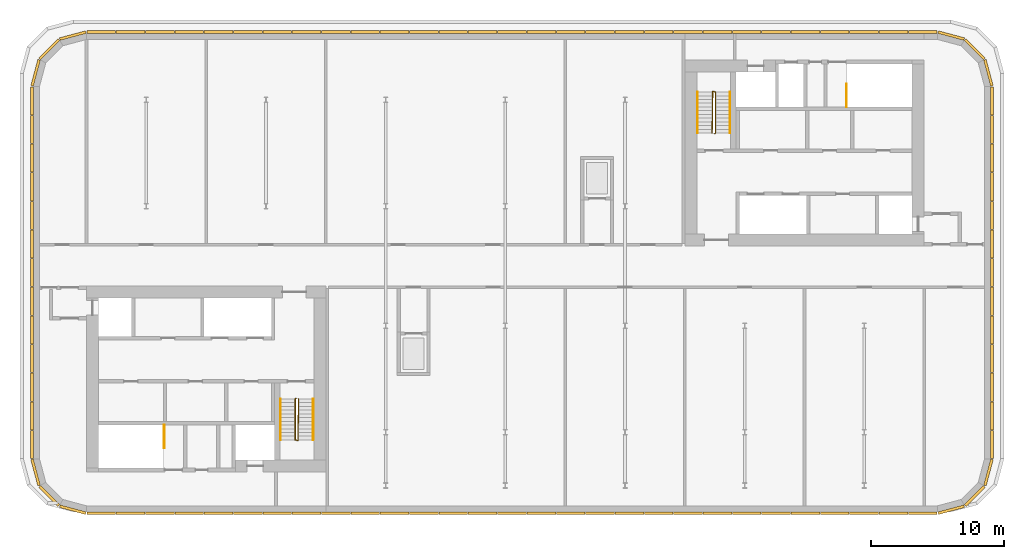
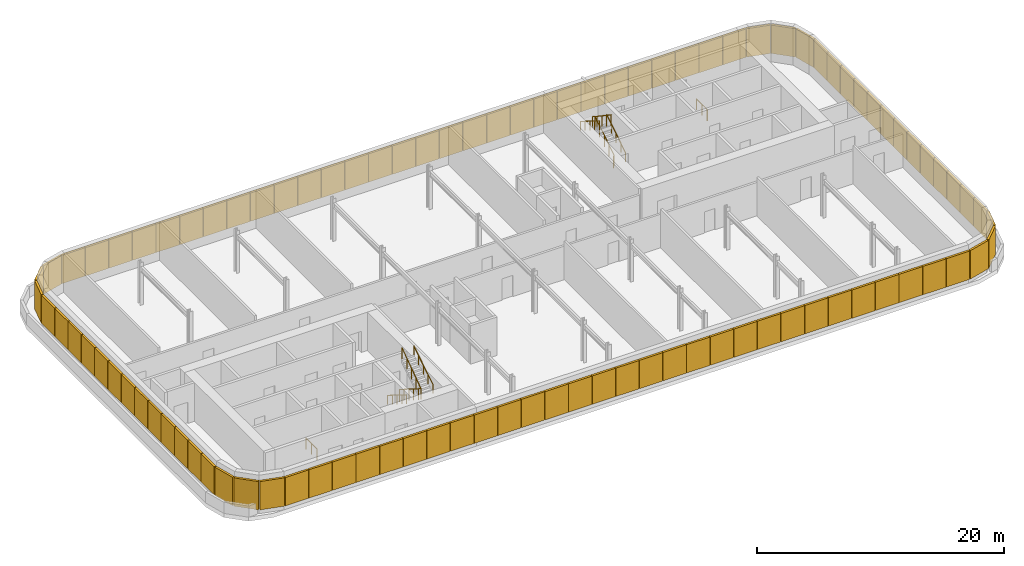
# One storey, part 9 of 10: 96 shading devices, 8 railings.
"""IFC4 building model written with IfcOpenShell, lengths in metres."""

from ifc_helpers import new_model, si_unit, direction, frame, origin, origin_2d, place, context, subcontext, project, spatial, rectangle, circle, extrude, material, type_object, element, save


model = new_model("IFC4")

# Units and contexts
model_context = context("Model", 3, precision=1e-05, world=origin(), true_north=direction((0.0, 1.0)))
body_context = subcontext(model_context, "Body", "Model", "MODEL_VIEW")
ifc_project = project(units=[si_unit("LENGTHUNIT", "METRE"), si_unit("AREAUNIT", "SQUARE_METRE"), si_unit("VOLUMEUNIT", "CUBIC_METRE"), si_unit("PLANEANGLEUNIT", "RADIAN"), si_unit("MASSUNIT", "GRAM", prefix="KILO")], contexts=[model_context])

# Site, building, storey
site_placement = place(None, origin())
site = spatial("IfcSite", under=ifc_project, at=site_placement, CompositionType="ELEMENT")
building_placement = place(site_placement, origin())
building = spatial("IfcBuilding", under=site, at=building_placement, Name="Kajstack Hotel Tower", CompositionType="ELEMENT")
storey_placement = place(building_placement, frame((0.0, 0.0, 313.60009765625)))
storey = spatial("IfcBuildingStorey", under=building, at=storey_placement, Name="L79", CompositionType="ELEMENT", Elevation=313.60009765625)

# Railings
ifc_material = material(Name="Steel S355J2", Category="steel")
railing_type_1 = type_object("IfcRailingType", Name="Stair guard 1100", PredefinedType="GUARDRAIL", material=ifc_material)
railing_1_placement = place(storey_placement, frame((-15.75, -9.949951171875, 0.0)))
element("IfcRailing", 1, at=railing_1_placement, inside=storey, type_object=railing_type_1, Name="L79 W2 stair guard 1", PredefinedType="GUARDRAIL", context=body_context, shape_type="SweptSolid", body=[
    extrude(circle(Radius=0.02392578125, at=origin_2d()), frame((0.0, 0.0, 1.076171875), z_axis=(-0.265383341853, -0.265383341853, 0.926899867156), x_axis=(0.707106781187, -0.707106781187, 0.0)), (0.0, 0.0, 1.0), 0.1884765625),
    extrude(circle(Radius=0.02392578125, at=origin_2d()), frame((-0.050048828125, -0.050048828125, 1.2509765625), z_axis=(0.0, -0.847998304005, 0.529998940003), x_axis=(1.0, 0.0, 0.0)), (0.0, 0.0, 1.0), 3.632080078125),
    extrude(circle(Radius=0.02392578125, at=origin_2d()), frame((-0.050048828125, -3.130126953125, 3.17578125), z_axis=(0.970351222016, -0.241699205484, 0.0), x_axis=(0.241699205484, 0.970351222016, 0.0)), (0.0, 0.0, 1.0), 0.2060546875),
    extrude(circle(Radius=0.02392578125, at=origin_2d()), frame((0.14990234375, -3.179931640625, 3.17578125), z_axis=(0.013277334934, 0.83031918951, 0.557129927314), x_axis=(-0.999872174235, 0.01598859561, 0.0)), (0.0, 0.0, 1.0), 3.76953125),
    extrude(circle(Radius=0.02099609375, at=origin_2d()), origin(), (0.0, 0.0, 1.0), 1.052001953125),
    extrude(circle(Radius=0.02099609375, at=origin_2d()), frame((-0.050048828125, -0.050048828125, 0.1748046875)), (0.0, 0.0, 1.0), 1.052001953125),
    extrude(circle(Radius=0.02099609375, at=origin_2d()), frame((-0.050048828125, -0.820068359375, 0.656005859375)), (0.0, 0.0, 1.0), 1.052001953125),
    extrude(circle(Radius=0.02099609375, at=origin_2d()), frame((-0.050048828125, -1.590087890625, 1.13720703125)), (0.0, 0.0, 1.0), 1.052001953125),
    extrude(circle(Radius=0.02099609375, at=origin_2d()), frame((-0.050048828125, -2.360107421875, 1.61865234375)), (0.0, 0.0, 1.0), 1.052001953125),
    extrude(circle(Radius=0.02099609375, at=origin_2d()), frame((-0.050048828125, -3.130126953125, 2.099853515625)), (0.0, 0.0, 1.0), 1.052001953125),
    extrude(circle(Radius=0.02099609375, at=origin_2d()), frame((0.14990234375, -3.179931640625, 2.099853515625)), (0.0, 0.0, 1.0), 1.052001953125),
    extrude(circle(Radius=0.02099609375, at=origin_2d()), frame((0.162353515625, -2.3974609375, 2.625)), (0.0, 0.0, 1.0), 1.052001953125),
    extrude(circle(Radius=0.02099609375, at=origin_2d()), frame((0.1748046875, -1.614990234375, 3.14990234375)), (0.0, 0.0, 1.0), 1.052001953125),
    extrude(circle(Radius=0.02099609375, at=origin_2d()), frame((0.1875, -0.83251953125, 3.6748046875)), (0.0, 0.0, 1.0), 1.052001953125),
    extrude(circle(Radius=0.02099609375, at=origin_2d()), frame((0.199951171875, -0.050048828125, 4.199951171875)), (0.0, 0.0, 1.0), 1.052001953125),
])
railing_2_placement = place(storey_placement, frame((-25.64990234375, -11.949951171875, 0.0)))
element("IfcRailing", 2, at=railing_2_placement, inside=storey, type_object=railing_type_1, Name="L79 W3 top well guard 1", PredefinedType="GUARDRAIL", context=body_context, shape_type="SweptSolid", body=[
    extrude(circle(Radius=0.02392578125, at=origin_2d()), frame((0.0, 0.0, 1.076171875), z_axis=(0.0, -1.0, 0.0), x_axis=(1.0, 0.0, 0.0)), (0.0, 0.0, 1.0), 1.75),
    extrude(circle(Radius=0.02099609375, at=origin_2d()), origin(), (0.0, 0.0, 1.0), 1.052001953125),
    extrude(circle(Radius=0.02099609375, at=origin_2d()), frame((0.0, -0.875, 0.0)), (0.0, 0.0, 1.0), 1.052001953125),
    extrude(circle(Radius=0.02099609375, at=origin_2d()), frame((0.0, -1.75, 0.0)), (0.0, 0.0, 1.0), 1.052001953125),
])
railing_3_placement = place(storey_placement, frame((15.75, 9.949951171875, 0.0)))
element("IfcRailing", 3, at=railing_3_placement, inside=storey, type_object=railing_type_1, Name="L79 E2 stair guard 1", PredefinedType="GUARDRAIL", context=body_context, shape_type="SweptSolid", body=[
    extrude(circle(Radius=0.02392578125, at=origin_2d()), frame((0.0, 0.0, 1.076171875), z_axis=(0.265383341853, 0.265383341853, 0.926899867156), x_axis=(-0.707106781187, 0.707106781187, 0.0)), (0.0, 0.0, 1.0), 0.1884765625),
    extrude(circle(Radius=0.02392578125, at=origin_2d()), frame((0.050048828125, 0.050048828125, 1.2509765625), z_axis=(0.0, 0.847998304005, 0.529998940003), x_axis=(-1.0, 0.0, 0.0)), (0.0, 0.0, 1.0), 3.632080078125),
    extrude(circle(Radius=0.02392578125, at=origin_2d()), frame((0.050048828125, 3.130126953125, 3.17578125), z_axis=(-0.970351222016, 0.241699205484, 0.0), x_axis=(-0.241699205484, -0.970351222016, 0.0)), (0.0, 0.0, 1.0), 0.2060546875),
    extrude(circle(Radius=0.02392578125, at=origin_2d()), frame((-0.14990234375, 3.179931640625, 3.17578125), z_axis=(-0.013277334934, -0.83031918951, 0.557129927314), x_axis=(0.999872174235, -0.01598859561, 0.0)), (0.0, 0.0, 1.0), 3.76953125),
    extrude(circle(Radius=0.02099609375, at=origin_2d()), origin(), (0.0, 0.0, 1.0), 1.052001953125),
    extrude(circle(Radius=0.02099609375, at=origin_2d()), frame((0.050048828125, 0.050048828125, 0.1748046875)), (0.0, 0.0, 1.0), 1.052001953125),
    extrude(circle(Radius=0.02099609375, at=origin_2d()), frame((0.050048828125, 0.820068359375, 0.656005859375)), (0.0, 0.0, 1.0), 1.052001953125),
    extrude(circle(Radius=0.02099609375, at=origin_2d()), frame((0.050048828125, 1.590087890625, 1.13720703125)), (0.0, 0.0, 1.0), 1.052001953125),
    extrude(circle(Radius=0.02099609375, at=origin_2d()), frame((0.050048828125, 2.360107421875, 1.61865234375)), (0.0, 0.0, 1.0), 1.052001953125),
    extrude(circle(Radius=0.02099609375, at=origin_2d()), frame((0.050048828125, 3.130126953125, 2.099853515625)), (0.0, 0.0, 1.0), 1.052001953125),
    extrude(circle(Radius=0.02099609375, at=origin_2d()), frame((-0.14990234375, 3.179931640625, 2.099853515625)), (0.0, 0.0, 1.0), 1.052001953125),
    extrude(circle(Radius=0.02099609375, at=origin_2d()), frame((-0.162353515625, 2.3974609375, 2.625)), (0.0, 0.0, 1.0), 1.052001953125),
    extrude(circle(Radius=0.02099609375, at=origin_2d()), frame((-0.1748046875, 1.614990234375, 3.14990234375)), (0.0, 0.0, 1.0), 1.052001953125),
    extrude(circle(Radius=0.02099609375, at=origin_2d()), frame((-0.1875, 0.83251953125, 3.6748046875)), (0.0, 0.0, 1.0), 1.052001953125),
    extrude(circle(Radius=0.02099609375, at=origin_2d()), frame((-0.199951171875, 0.050048828125, 4.199951171875)), (0.0, 0.0, 1.0), 1.052001953125),
])
railing_4_placement = place(storey_placement, frame((25.64990234375, 11.949951171875, 0.0)))
element("IfcRailing", 4, at=railing_4_placement, inside=storey, type_object=railing_type_1, Name="L79 E3 top well guard 1", PredefinedType="GUARDRAIL", context=body_context, shape_type="SweptSolid", body=[
    extrude(circle(Radius=0.02392578125, at=origin_2d()), frame((0.0, 0.0, 1.076171875), z_axis=(0.0, 1.0, 0.0), x_axis=(-1.0, 0.0, 0.0)), (0.0, 0.0, 1.0), 1.75),
    extrude(circle(Radius=0.02099609375, at=origin_2d()), origin(), (0.0, 0.0, 1.0), 1.052001953125),
    extrude(circle(Radius=0.02099609375, at=origin_2d()), frame((0.0, 0.875, 0.0)), (0.0, 0.0, 1.0), 1.052001953125),
    extrude(circle(Radius=0.02099609375, at=origin_2d()), frame((0.0, 1.75, 0.0)), (0.0, 0.0, 1.0), 1.052001953125),
])
railing_type_2 = type_object("IfcRailingType", Name="Stair handrail 900", PredefinedType="HANDRAIL", material=ifc_material)
railing_5_placement = place(storey_placement, frame((-16.89990234375, -10.0, 0.1748046875)))
element("IfcRailing", 5, at=railing_5_placement, inside=storey, type_object=railing_type_2, Name="L79 W2 stair handrail 1", PredefinedType="HANDRAIL", context=body_context, shape_type="SweptSolid", body=[
    extrude(circle(Radius=0.02392578125, at=origin_2d()), frame((0.0, 0.0, 0.8759765625), z_axis=(0.0, -0.847998304005, 0.529998940003), x_axis=(1.0, 0.0, 0.0)), (0.0, 0.0, 1.0), 3.632080078125),
    extrude(circle(Radius=0.02099609375, at=origin_2d()), origin(), (0.0, 0.0, 1.0), 0.851806640625),
    extrude(circle(Radius=0.02099609375, at=origin_2d()), frame((0.0, -0.77001953125, 0.481201171875)), (0.0, 0.0, 1.0), 0.851806640625),
    extrude(circle(Radius=0.02099609375, at=origin_2d()), frame((0.0, -1.5400390625, 0.96240234375)), (0.0, 0.0, 1.0), 0.851806640625),
    extrude(circle(Radius=0.02099609375, at=origin_2d()), frame((0.0, -2.31005859375, 1.44384765625)), (0.0, 0.0, 1.0), 0.851806640625),
    extrude(circle(Radius=0.02099609375, at=origin_2d()), frame((0.0, -3.080078125, 1.925048828125)), (0.0, 0.0, 1.0), 0.851806640625),
])
for number, where, name in (
    (6, (-14.449951171875, -13.080078125, 2.27490234375), "L79 W2 stair handrail 2"),
    (7, (16.89990234375, 10.0, 0.1748046875), "L79 E2 stair handrail 1"),
):
    element("IfcRailing", number, at=place(storey_placement, frame(where)), inside=storey, type_object=railing_type_2, Name=name, PredefinedType="HANDRAIL", context=body_context, shape_type="SweptSolid", body=[
        extrude(circle(Radius=0.02392578125, at=origin_2d()), frame((0.0, 0.0, 0.8759765625), z_axis=(0.0, 0.847998304005, 0.529998940003), x_axis=(-1.0, 0.0, 0.0)), (0.0, 0.0, 1.0), 3.632080078125),
        extrude(circle(Radius=0.02099609375, at=origin_2d()), origin(), (0.0, 0.0, 1.0), 0.851806640625),
        extrude(circle(Radius=0.02099609375, at=origin_2d()), frame((0.0, 0.77001953125, 0.481201171875)), (0.0, 0.0, 1.0), 0.851806640625),
        extrude(circle(Radius=0.02099609375, at=origin_2d()), frame((0.0, 1.5400390625, 0.96240234375)), (0.0, 0.0, 1.0), 0.851806640625),
        extrude(circle(Radius=0.02099609375, at=origin_2d()), frame((0.0, 2.31005859375, 1.44384765625)), (0.0, 0.0, 1.0), 0.851806640625),
        extrude(circle(Radius=0.02099609375, at=origin_2d()), frame((0.0, 3.080078125, 1.925048828125)), (0.0, 0.0, 1.0), 0.851806640625),
    ])
railing_6_placement = place(storey_placement, frame((14.449951171875, 13.080078125, 2.27490234375)))
element("IfcRailing", 8, at=railing_6_placement, inside=storey, type_object=railing_type_2, Name="L79 E2 stair handrail 2", PredefinedType="HANDRAIL", context=body_context, shape_type="SweptSolid", body=[
    extrude(circle(Radius=0.02392578125, at=origin_2d()), frame((0.0, 0.0, 0.8759765625), z_axis=(0.0, -0.847998304005, 0.529998940003), x_axis=(1.0, 0.0, 0.0)), (0.0, 0.0, 1.0), 3.632080078125),
    extrude(circle(Radius=0.02099609375, at=origin_2d()), origin(), (0.0, 0.0, 1.0), 0.851806640625),
    extrude(circle(Radius=0.02099609375, at=origin_2d()), frame((0.0, -0.77001953125, 0.481201171875)), (0.0, 0.0, 1.0), 0.851806640625),
    extrude(circle(Radius=0.02099609375, at=origin_2d()), frame((0.0, -1.5400390625, 0.96240234375)), (0.0, 0.0, 1.0), 0.851806640625),
    extrude(circle(Radius=0.02099609375, at=origin_2d()), frame((0.0, -2.31005859375, 1.44384765625)), (0.0, 0.0, 1.0), 0.851806640625),
    extrude(circle(Radius=0.02099609375, at=origin_2d()), frame((0.0, -3.080078125, 1.925048828125)), (0.0, 0.0, 1.0), 0.851806640625),
])

# Shading devices
for number, where, z_axis, x_axis, name in (
    (9, (-35.32861328125, -15.52587890625, 0.5), (0.0, 0.0, 1.0), (0.258819770022, -0.965925632047, 0.0), "Louvre L79-00-01"),
    (10, (-34.302734375, -17.302734375, 0.5), (0.0, 0.0, 1.0), (0.707106781187, -0.707106781187, 0.0), "Louvre L79-01-01"),
    (11, (-32.52587890625, -18.32861328125, 0.5), (0.0, 0.0, 1.0), (0.965925632047, -0.258819770022, 0.0), "Louvre L79-02-01"),
):
    element("IfcShadingDevice", number, at=place(storey_placement, frame(where, z_axis=z_axis, x_axis=x_axis)), inside=storey, Name=name, ObjectType="LOUVRE", PredefinedType="USERDEFINED", context=body_context, shape_type="SweptSolid", body=[
        extrude(rectangle(XDim=2.030517578125, YDim=0.199951171875, at=origin_2d()), origin(), (0.0, 0.0, 1.0), 2.800048828125),
    ])
for number, where, z_axis, x_axis, name in (
    (12, (-30.396484375, -18.60009765625, 0.5), (0.0, 0.0, 1.0), (1.0, 0.0, 0.0), "Louvre L79-03-01"),
    (13, (-28.189697265625, -18.60009765625, 0.5), (0.0, 0.0, 1.0), (1.0, 0.0, 0.0), "Louvre L79-03-02"),
    (14, (-25.982666015625, -18.60009765625, 0.5), (0.0, 0.0, 1.0), (1.0, 0.0, 0.0), "Louvre L79-03-03"),
    (15, (-23.77587890625, -18.60009765625, 0.5), (0.0, 0.0, 1.0), (1.0, 0.0, 0.0), "Louvre L79-03-04"),
    (16, (-21.56884765625, -18.60009765625, 0.5), (0.0, 0.0, 1.0), (1.0, 0.0, 0.0), "Louvre L79-03-05"),
    (17, (-19.362060546875, -18.60009765625, 0.5), (0.0, 0.0, 1.0), (1.0, 0.0, 0.0), "Louvre L79-03-06"),
    (18, (-17.1552734375, -18.60009765625, 0.5), (0.0, 0.0, 1.0), (1.0, 0.0, 0.0), "Louvre L79-03-07"),
    (19, (-14.9482421875, -18.60009765625, 0.5), (0.0, 0.0, 1.0), (1.0, 0.0, 0.0), "Louvre L79-03-08"),
    (20, (-12.741455078125, -18.60009765625, 0.5), (0.0, 0.0, 1.0), (1.0, 0.0, 0.0), "Louvre L79-03-09"),
    (21, (-10.534423828125, -18.60009765625, 0.5), (0.0, 0.0, 1.0), (1.0, 0.0, 0.0), "Louvre L79-03-10"),
    (22, (-8.32763671875, -18.60009765625, 0.5), (0.0, 0.0, 1.0), (1.0, 0.0, 0.0), "Louvre L79-03-11"),
    (23, (-6.12060546875, -18.60009765625, 0.5), (0.0, 0.0, 1.0), (1.0, 0.0, 0.0), "Louvre L79-03-12"),
    (24, (-3.913818359375, -18.60009765625, 0.5), (0.0, 0.0, 1.0), (1.0, 0.0, 0.0), "Louvre L79-03-13"),
    (25, (-1.706787109375, -18.60009765625, 0.5), (0.0, 0.0, 1.0), (1.0, 0.0, 0.0), "Louvre L79-03-14"),
    (26, (0.5, -18.60009765625, 0.5), (0.0, 0.0, 1.0), (1.0, 0.0, 0.0), "Louvre L79-03-15"),
    (27, (2.706787109375, -18.60009765625, 0.5), (0.0, 0.0, 1.0), (1.0, 0.0, 0.0), "Louvre L79-03-16"),
    (28, (4.913818359375, -18.60009765625, 0.5), (0.0, 0.0, 1.0), (1.0, 0.0, 0.0), "Louvre L79-03-17"),
    (29, (7.12060546875, -18.60009765625, 0.5), (0.0, 0.0, 1.0), (1.0, 0.0, 0.0), "Louvre L79-03-18"),
    (30, (9.32763671875, -18.60009765625, 0.5), (0.0, 0.0, 1.0), (1.0, 0.0, 0.0), "Louvre L79-03-19"),
    (31, (11.534423828125, -18.60009765625, 0.5), (0.0, 0.0, 1.0), (1.0, 0.0, 0.0), "Louvre L79-03-20"),
    (32, (13.741455078125, -18.60009765625, 0.5), (0.0, 0.0, 1.0), (1.0, 0.0, 0.0), "Louvre L79-03-21"),
    (33, (15.9482421875, -18.60009765625, 0.5), (0.0, 0.0, 1.0), (1.0, 0.0, 0.0), "Louvre L79-03-22"),
    (34, (18.1552734375, -18.60009765625, 0.5), (0.0, 0.0, 1.0), (1.0, 0.0, 0.0), "Louvre L79-03-23"),
    (35, (20.362060546875, -18.60009765625, 0.5), (0.0, 0.0, 1.0), (1.0, 0.0, 0.0), "Louvre L79-03-24"),
    (36, (22.56884765625, -18.60009765625, 0.5), (0.0, 0.0, 1.0), (1.0, 0.0, 0.0), "Louvre L79-03-25"),
    (37, (24.77587890625, -18.60009765625, 0.5), (0.0, 0.0, 1.0), (1.0, 0.0, 0.0), "Louvre L79-03-26"),
    (38, (26.982666015625, -18.60009765625, 0.5), (0.0, 0.0, 1.0), (1.0, 0.0, 0.0), "Louvre L79-03-27"),
    (39, (29.189697265625, -18.60009765625, 0.5), (0.0, 0.0, 1.0), (1.0, 0.0, 0.0), "Louvre L79-03-28"),
    (40, (31.396484375, -18.60009765625, 0.5), (0.0, 0.0, 1.0), (1.0, 0.0, 0.0), "Louvre L79-03-29"),
):
    element("IfcShadingDevice", number, at=place(storey_placement, frame(where, z_axis=z_axis, x_axis=x_axis)), inside=storey, Name=name, ObjectType="LOUVRE", PredefinedType="USERDEFINED", context=body_context, shape_type="SweptSolid", body=[
        extrude(rectangle(XDim=2.1669921875, YDim=0.199951171875, at=origin_2d()), origin(), (0.0, 0.0, 1.0), 2.800048828125),
    ])
for number, where, z_axis, x_axis, name in (
    (41, (33.52587890625, -18.32861328125, 0.5), (0.0, 0.0, 1.0), (0.965925632047, 0.258819770022, 0.0), "Louvre L79-04-01"),
    (42, (35.302734375, -17.302734375, 0.5), (0.0, 0.0, 1.0), (0.707106781187, 0.707106781187, 0.0), "Louvre L79-05-01"),
    (43, (36.32861328125, -15.52587890625, 0.5), (0.0, 0.0, 1.0), (0.258819770022, 0.965925632047, 0.0), "Louvre L79-06-01"),
):
    element("IfcShadingDevice", number, at=place(storey_placement, frame(where, z_axis=z_axis, x_axis=x_axis)), inside=storey, Name=name, ObjectType="LOUVRE", PredefinedType="USERDEFINED", context=body_context, shape_type="SweptSolid", body=[
        extrude(rectangle(XDim=2.030517578125, YDim=0.199951171875, at=origin_2d()), origin(), (0.0, 0.0, 1.0), 2.800048828125),
    ])
for number, where, z_axis, x_axis, name in (
    (44, (36.60009765625, -13.423095703125, 0.5), (0.0, 0.0, 1.0), (0.0, 1.0, 0.0), "Louvre L79-07-01"),
    (45, (36.60009765625, -11.269287109375, 0.5), (0.0, 0.0, 1.0), (0.0, 1.0, 0.0), "Louvre L79-07-02"),
    (46, (36.60009765625, -9.115478515625, 0.5), (0.0, 0.0, 1.0), (0.0, 1.0, 0.0), "Louvre L79-07-03"),
    (47, (36.60009765625, -6.96142578125, 0.5), (0.0, 0.0, 1.0), (0.0, 1.0, 0.0), "Louvre L79-07-04"),
    (48, (36.60009765625, -4.8076171875, 0.5), (0.0, 0.0, 1.0), (0.0, 1.0, 0.0), "Louvre L79-07-05"),
    (49, (36.60009765625, -2.65380859375, 0.5), (0.0, 0.0, 1.0), (0.0, 1.0, 0.0), "Louvre L79-07-06"),
    (50, (36.60009765625, -0.5, 0.5), (0.0, 0.0, 1.0), (0.0, 1.0, 0.0), "Louvre L79-07-07"),
    (51, (36.60009765625, 1.65380859375, 0.5), (0.0, 0.0, 1.0), (0.0, 1.0, 0.0), "Louvre L79-07-08"),
    (52, (36.60009765625, 3.8076171875, 0.5), (0.0, 0.0, 1.0), (0.0, 1.0, 0.0), "Louvre L79-07-09"),
    (53, (36.60009765625, 5.96142578125, 0.5), (0.0, 0.0, 1.0), (0.0, 1.0, 0.0), "Louvre L79-07-10"),
    (54, (36.60009765625, 8.115478515625, 0.5), (0.0, 0.0, 1.0), (0.0, 1.0, 0.0), "Louvre L79-07-11"),
    (55, (36.60009765625, 10.269287109375, 0.5), (0.0, 0.0, 1.0), (0.0, 1.0, 0.0), "Louvre L79-07-12"),
    (56, (36.60009765625, 12.423095703125, 0.5), (0.0, 0.0, 1.0), (0.0, 1.0, 0.0), "Louvre L79-07-13"),
):
    element("IfcShadingDevice", number, at=place(storey_placement, frame(where, z_axis=z_axis, x_axis=x_axis)), inside=storey, Name=name, ObjectType="LOUVRE", PredefinedType="USERDEFINED", context=body_context, shape_type="SweptSolid", body=[
        extrude(rectangle(XDim=2.11376953125, YDim=0.199951171875, at=origin_2d()), origin(), (0.0, 0.0, 1.0), 2.800048828125),
    ])
for number, where, z_axis, x_axis, name in (
    (57, (36.32861328125, 14.52587890625, 0.5), (0.0, 0.0, 1.0), (-0.258819770022, 0.965925632047, 0.0), "Louvre L79-08-01"),
    (58, (35.302734375, 16.302734375, 0.5), (0.0, 0.0, 1.0), (-0.707106781187, 0.707106781187, 0.0), "Louvre L79-09-01"),
    (59, (33.52587890625, 17.32861328125, 0.5), (0.0, 0.0, 1.0), (-0.965925632047, 0.258819770022, 0.0), "Louvre L79-10-01"),
):
    element("IfcShadingDevice", number, at=place(storey_placement, frame(where, z_axis=z_axis, x_axis=x_axis)), inside=storey, Name=name, ObjectType="LOUVRE", PredefinedType="USERDEFINED", context=body_context, shape_type="SweptSolid", body=[
        extrude(rectangle(XDim=2.030517578125, YDim=0.199951171875, at=origin_2d()), origin(), (0.0, 0.0, 1.0), 2.800048828125),
    ])
for number, where, z_axis, x_axis, name in (
    (60, (31.396484375, 17.60009765625, 0.5), (0.0, 0.0, 1.0), (-1.0, 0.0, 0.0), "Louvre L79-11-01"),
    (61, (29.189697265625, 17.60009765625, 0.5), (0.0, 0.0, 1.0), (-1.0, 0.0, 0.0), "Louvre L79-11-02"),
    (62, (26.982666015625, 17.60009765625, 0.5), (0.0, 0.0, 1.0), (-1.0, 0.0, 0.0), "Louvre L79-11-03"),
    (63, (24.77587890625, 17.60009765625, 0.5), (0.0, 0.0, 1.0), (-1.0, 0.0, 0.0), "Louvre L79-11-04"),
    (64, (22.56884765625, 17.60009765625, 0.5), (0.0, 0.0, 1.0), (-1.0, 0.0, 0.0), "Louvre L79-11-05"),
    (65, (20.362060546875, 17.60009765625, 0.5), (0.0, 0.0, 1.0), (-1.0, 0.0, 0.0), "Louvre L79-11-06"),
    (66, (18.1552734375, 17.60009765625, 0.5), (0.0, 0.0, 1.0), (-1.0, 0.0, 0.0), "Louvre L79-11-07"),
    (67, (15.9482421875, 17.60009765625, 0.5), (0.0, 0.0, 1.0), (-1.0, 0.0, 0.0), "Louvre L79-11-08"),
    (68, (13.741455078125, 17.60009765625, 0.5), (0.0, 0.0, 1.0), (-1.0, 0.0, 0.0), "Louvre L79-11-09"),
    (69, (11.534423828125, 17.60009765625, 0.5), (0.0, 0.0, 1.0), (-1.0, 0.0, 0.0), "Louvre L79-11-10"),
    (70, (9.32763671875, 17.60009765625, 0.5), (0.0, 0.0, 1.0), (-1.0, 0.0, 0.0), "Louvre L79-11-11"),
    (71, (7.12060546875, 17.60009765625, 0.5), (0.0, 0.0, 1.0), (-1.0, 0.0, 0.0), "Louvre L79-11-12"),
    (72, (4.913818359375, 17.60009765625, 0.5), (0.0, 0.0, 1.0), (-1.0, 0.0, 0.0), "Louvre L79-11-13"),
    (73, (2.706787109375, 17.60009765625, 0.5), (0.0, 0.0, 1.0), (-1.0, 0.0, 0.0), "Louvre L79-11-14"),
    (74, (0.5, 17.60009765625, 0.5), (0.0, 0.0, 1.0), (-1.0, 0.0, 0.0), "Louvre L79-11-15"),
    (75, (-1.706787109375, 17.60009765625, 0.5), (0.0, 0.0, 1.0), (-1.0, 0.0, 0.0), "Louvre L79-11-16"),
    (76, (-3.913818359375, 17.60009765625, 0.5), (0.0, 0.0, 1.0), (-1.0, 0.0, 0.0), "Louvre L79-11-17"),
    (77, (-6.12060546875, 17.60009765625, 0.5), (0.0, 0.0, 1.0), (-1.0, 0.0, 0.0), "Louvre L79-11-18"),
    (78, (-8.32763671875, 17.60009765625, 0.5), (0.0, 0.0, 1.0), (-1.0, 0.0, 0.0), "Louvre L79-11-19"),
    (79, (-10.534423828125, 17.60009765625, 0.5), (0.0, 0.0, 1.0), (-1.0, 0.0, 0.0), "Louvre L79-11-20"),
    (80, (-12.741455078125, 17.60009765625, 0.5), (0.0, 0.0, 1.0), (-1.0, 0.0, 0.0), "Louvre L79-11-21"),
    (81, (-14.9482421875, 17.60009765625, 0.5), (0.0, 0.0, 1.0), (-1.0, 0.0, 0.0), "Louvre L79-11-22"),
    (82, (-17.1552734375, 17.60009765625, 0.5), (0.0, 0.0, 1.0), (-1.0, 0.0, 0.0), "Louvre L79-11-23"),
    (83, (-19.362060546875, 17.60009765625, 0.5), (0.0, 0.0, 1.0), (-1.0, 0.0, 0.0), "Louvre L79-11-24"),
    (84, (-21.56884765625, 17.60009765625, 0.5), (0.0, 0.0, 1.0), (-1.0, 0.0, 0.0), "Louvre L79-11-25"),
    (85, (-23.77587890625, 17.60009765625, 0.5), (0.0, 0.0, 1.0), (-1.0, 0.0, 0.0), "Louvre L79-11-26"),
    (86, (-25.982666015625, 17.60009765625, 0.5), (0.0, 0.0, 1.0), (-1.0, 0.0, 0.0), "Louvre L79-11-27"),
    (87, (-28.189697265625, 17.60009765625, 0.5), (0.0, 0.0, 1.0), (-1.0, 0.0, 0.0), "Louvre L79-11-28"),
    (88, (-30.396484375, 17.60009765625, 0.5), (0.0, 0.0, 1.0), (-1.0, 0.0, 0.0), "Louvre L79-11-29"),
):
    element("IfcShadingDevice", number, at=place(storey_placement, frame(where, z_axis=z_axis, x_axis=x_axis)), inside=storey, Name=name, ObjectType="LOUVRE", PredefinedType="USERDEFINED", context=body_context, shape_type="SweptSolid", body=[
        extrude(rectangle(XDim=2.1669921875, YDim=0.199951171875, at=origin_2d()), origin(), (0.0, 0.0, 1.0), 2.800048828125),
    ])
for number, where, z_axis, x_axis, name in (
    (89, (-32.52587890625, 17.32861328125, 0.5), (0.0, 0.0, 1.0), (-0.965925632047, -0.258819770022, 0.0), "Louvre L79-12-01"),
    (90, (-34.302734375, 16.302734375, 0.5), (0.0, 0.0, 1.0), (-0.707106781187, -0.707106781187, 0.0), "Louvre L79-13-01"),
    (91, (-35.32861328125, 14.52587890625, 0.5), (0.0, 0.0, 1.0), (-0.258819770022, -0.965925632047, 0.0), "Louvre L79-14-01"),
):
    element("IfcShadingDevice", number, at=place(storey_placement, frame(where, z_axis=z_axis, x_axis=x_axis)), inside=storey, Name=name, ObjectType="LOUVRE", PredefinedType="USERDEFINED", context=body_context, shape_type="SweptSolid", body=[
        extrude(rectangle(XDim=2.030517578125, YDim=0.199951171875, at=origin_2d()), origin(), (0.0, 0.0, 1.0), 2.800048828125),
    ])
for number, where, z_axis, x_axis, name in (
    (92, (-35.60009765625, 12.423095703125, 0.5), (0.0, 0.0, 1.0), (0.0, -1.0, 0.0), "Louvre L79-15-01"),
    (93, (-35.60009765625, 10.269287109375, 0.5), (0.0, 0.0, 1.0), (0.0, -1.0, 0.0), "Louvre L79-15-02"),
    (94, (-35.60009765625, 8.115478515625, 0.5), (0.0, 0.0, 1.0), (0.0, -1.0, 0.0), "Louvre L79-15-03"),
    (95, (-35.60009765625, 5.96142578125, 0.5), (0.0, 0.0, 1.0), (0.0, -1.0, 0.0), "Louvre L79-15-04"),
    (96, (-35.60009765625, 3.8076171875, 0.5), (0.0, 0.0, 1.0), (0.0, -1.0, 0.0), "Louvre L79-15-05"),
    (97, (-35.60009765625, 1.65380859375, 0.5), (0.0, 0.0, 1.0), (0.0, -1.0, 0.0), "Louvre L79-15-06"),
    (98, (-35.60009765625, -0.5, 0.5), (0.0, 0.0, 1.0), (0.0, -1.0, 0.0), "Louvre L79-15-07"),
    (99, (-35.60009765625, -2.65380859375, 0.5), (0.0, 0.0, 1.0), (0.0, -1.0, 0.0), "Louvre L79-15-08"),
    (100, (-35.60009765625, -4.8076171875, 0.5), (0.0, 0.0, 1.0), (0.0, -1.0, 0.0), "Louvre L79-15-09"),
    (101, (-35.60009765625, -6.96142578125, 0.5), (0.0, 0.0, 1.0), (0.0, -1.0, 0.0), "Louvre L79-15-10"),
    (102, (-35.60009765625, -9.115478515625, 0.5), (0.0, 0.0, 1.0), (0.0, -1.0, 0.0), "Louvre L79-15-11"),
    (103, (-35.60009765625, -11.269287109375, 0.5), (0.0, 0.0, 1.0), (0.0, -1.0, 0.0), "Louvre L79-15-12"),
    (104, (-35.60009765625, -13.423095703125, 0.5), (0.0, 0.0, 1.0), (0.0, -1.0, 0.0), "Louvre L79-15-13"),
):
    element("IfcShadingDevice", number, at=place(storey_placement, frame(where, z_axis=z_axis, x_axis=x_axis)), inside=storey, Name=name, ObjectType="LOUVRE", PredefinedType="USERDEFINED", context=body_context, shape_type="SweptSolid", body=[
        extrude(rectangle(XDim=2.11376953125, YDim=0.199951171875, at=origin_2d()), origin(), (0.0, 0.0, 1.0), 2.800048828125),
    ])

save(model, "model.ifc")
